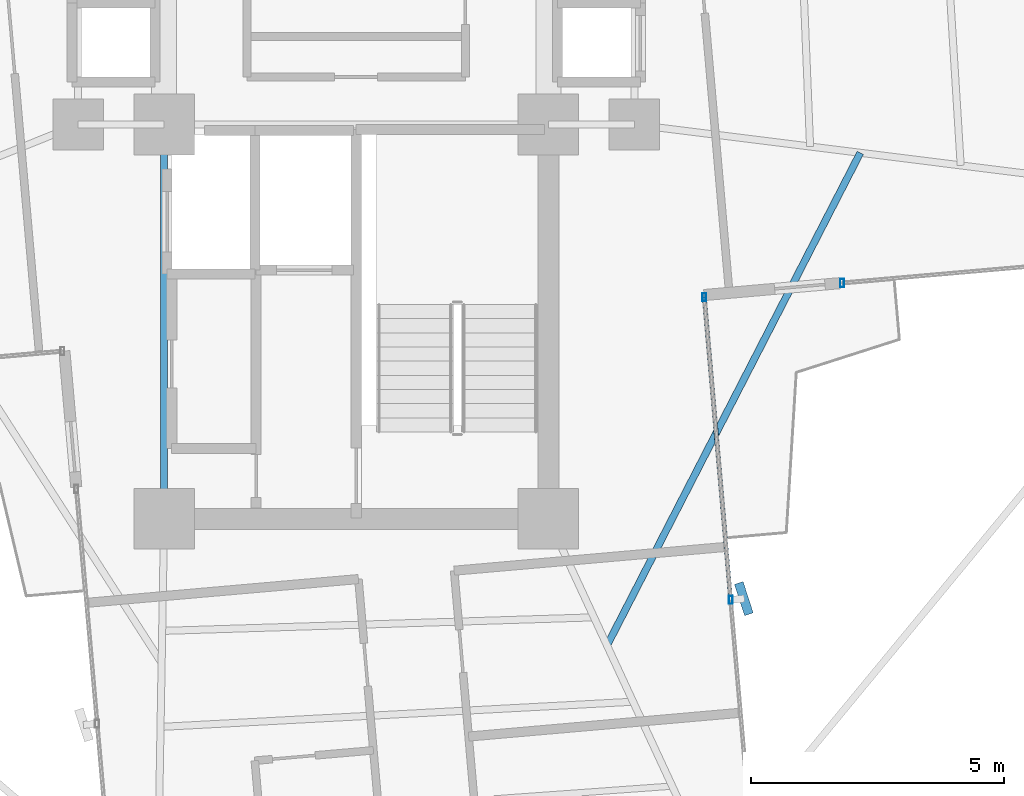
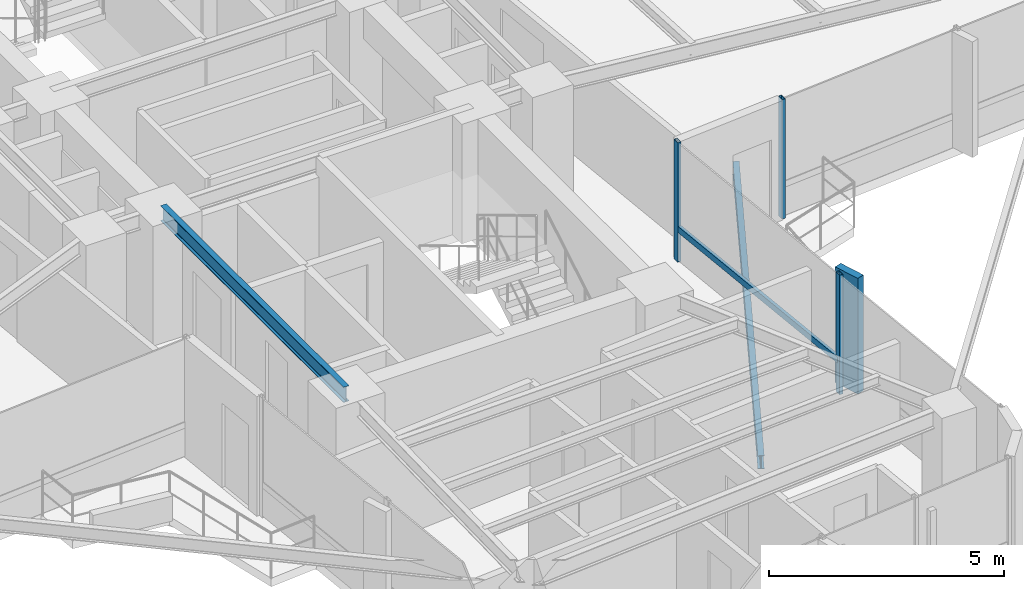
# One storey, part 7 of 24: 5 members, 2 beams, 2 elements without a shape of their own.
"""IFC4 building model written with IfcOpenShell, lengths in metres."""

import ifcopenshell
import ifcopenshell.guid

model = None  # the IFC model being written
_history = None  # IfcOwnerHistory: only IFC2X3 demands one
_inside = {}  # id of a spatial element -> (the spatial element, [elements in it])
_under = {}  # id of a project, library or spatial element -> (it, [spatial elements below it])
_declared = {}  # id of a project -> (the project, [libraries it declares])
_typed = {}  # id of a type object -> (the type object, [elements of that type])
_made_of = {}  # id of a material, layer set ... -> (it, [elements and type objects made of it])


def new_model(schema):
    """Start an empty IFC model of exactly this schema.

    Asked for "IFC4X3", IfcOpenShell would pick the latest addendum, in which some entities
    have other attributes; the version numbers below select the first issue.
    IFC2X3 requires an IfcOwnerHistory on every rooted entity: one is made here for all.
    """
    global model, _history
    if schema == "IFC4X3":
        model = ifcopenshell.file(schema_version=(4, 3, 0, 0))
    else:
        model = ifcopenshell.file(schema=schema)
    _inside.clear()
    _under.clear()
    _declared.clear()
    _typed.clear()
    _made_of.clear()
    _history = None
    if model.schema == "IFC2X3":
        org = make("IfcOrganization", Name="unknown")
        user = make(
            "IfcPersonAndOrganization",
            ThePerson=make("IfcPerson", FamilyName="unknown"),
            TheOrganization=org,
        )
        app = make(
            "IfcApplication",
            ApplicationDeveloper=org,
            Version="unknown",
            ApplicationFullName="unknown",
            ApplicationIdentifier="unknown",
        )
        _history = make(
            "IfcOwnerHistory",
            OwningUser=user,
            OwningApplication=app,
            ChangeAction="ADDED",
            CreationDate=0,
        )
    return model


def make(cls, **values):
    """One entity of the class cls with the attributes given. An attribute that is None is left unset."""
    return model.create_entity(
        cls, **{name: value for name, value in values.items() if value is not None}
    )


def rooted(cls, **values):
    """An entity with a GlobalId (a new one), such as an element, a storey or a relation."""
    return make(cls, GlobalId=ifcopenshell.guid.new(), OwnerHistory=_history, **values)


def si_unit(unit_type, name, prefix=None):
    """IfcSIUnit, for example si_unit("LENGTHUNIT", "METRE", prefix="MILLI")."""
    return make("IfcSIUnit", UnitType=unit_type, Prefix=prefix, Name=name)


def assignment(units):
    """IfcUnitAssignment: the units of a project."""
    return None if units is None else make("IfcUnitAssignment", Units=units)


def point(xyz):
    """IfcCartesianPoint."""
    return None if xyz is None else make("IfcCartesianPoint", Coordinates=xyz)


def direction(xyz):
    """IfcDirection."""
    return None if xyz is None else make("IfcDirection", DirectionRatios=xyz)


def frame(location, z_axis=None, x_axis=None):
    """IfcAxis2Placement3D, a coordinate frame: its origin and axes. An axis left out is left unset."""
    return make(
        "IfcAxis2Placement3D",
        Location=point(location),
        Axis=direction(z_axis),
        RefDirection=direction(x_axis),
    )


def frame_2d(location, x_axis=None):
    """IfcAxis2Placement2D, a coordinate frame in the plane: its origin and x axis."""
    return make(
        "IfcAxis2Placement2D", Location=point(location), RefDirection=direction(x_axis)
    )


def origin():
    """The frame at (0, 0, 0) with its axes left unset."""
    return frame((0.0, 0.0, 0.0))


def origin_2d():
    """The frame at (0, 0) in the plane with its x axis left unset."""
    return frame_2d((0.0, 0.0))


def place(relative_to, where):
    """IfcLocalPlacement: puts the frame where relative to a parent placement (None: the world)."""
    return make(
        "IfcLocalPlacement", PlacementRelTo=relative_to, RelativePlacement=where
    )


def context(
    kind, dimensions, precision=None, world=None, true_north=None, identifier=None
):
    """IfcGeometricRepresentationContext, for example the 3D "Model" context."""
    return make(
        "IfcGeometricRepresentationContext",
        ContextIdentifier=identifier,
        ContextType=kind,
        CoordinateSpaceDimension=dimensions,
        Precision=precision,
        WorldCoordinateSystem=world,
        TrueNorth=true_north,
    )


def subcontext(parent, identifier, kind, view, scale=None):
    """IfcGeometricRepresentationSubContext, for example "Body" below "Model"."""
    return make(
        "IfcGeometricRepresentationSubContext",
        ContextIdentifier=identifier,
        ContextType=kind,
        ParentContext=parent,
        TargetScale=scale,
        TargetView=view,
    )


def project(units=None, contexts=None):
    """IfcProject with its units and contexts."""
    return rooted(
        "IfcProject",
        Name="project",
        RepresentationContexts=contexts,
        UnitsInContext=assignment(units),
    )


def spatial(cls, under=None, at=None, **own):
    """A site, building, storey or space (cls), placed at a placement, below another one or the project."""
    s = rooted(cls, ObjectPlacement=at, **own)
    if under is not None:
        _under.setdefault(under.id(), (under, []))[1].append(s)
    return s


def profile(cls, at=None, kind="AREA", **sizes):
    """A parametric profile (cls). Its sizes go by their IFC names, for example OverallWidth=200.0."""
    return make(cls, ProfileType=kind, Position=at, **sizes)


def rectangle(**sizes):
    """IfcRectangleProfileDef."""
    return profile("IfcRectangleProfileDef", **sizes)


def hollow_rectangle(**sizes):
    """IfcRectangleHollowProfileDef."""
    return profile("IfcRectangleHollowProfileDef", **sizes)


def i_section(**sizes):
    """IfcIShapeProfileDef."""
    return profile("IfcIShapeProfileDef", **sizes)


def extrude(swept, where, along, depth):
    """IfcExtrudedAreaSolid: the profile swept, set in the frame where, extruded along a direction by depth."""
    return make(
        "IfcExtrudedAreaSolid",
        SweptArea=swept,
        Position=where,
        ExtrudedDirection=direction(along),
        Depth=depth,
    )


def shape(context_of_items, identifier, shape_type, items):
    """IfcShapeRepresentation: the items that make up one representation, for example the "Body"."""
    return make(
        "IfcShapeRepresentation",
        ContextOfItems=context_of_items,
        RepresentationIdentifier=identifier,
        RepresentationType=shape_type,
        Items=items,
    )


def source(mapping_origin, context_of_items, identifier, shape_type, items):
    """IfcRepresentationMap: a shape defined once, which mapped items show again and again."""
    return make(
        "IfcRepresentationMap",
        MappingOrigin=mapping_origin,
        MappedRepresentation=shape(context_of_items, identifier, shape_type, items),
    )


def transform(
    local_origin,
    x_axis=None,
    y_axis=None,
    z_axis=None,
    scale=None,
    scale2=None,
    scale3=None,
    uniform=True,
):
    """IfcCartesianTransformationOperator3D, or its non-uniform kind. x_axis, y_axis, z_axis: its Axis1, 2, 3."""
    if uniform:
        return make(
            "IfcCartesianTransformationOperator3D",
            Axis1=direction(x_axis),
            Axis2=direction(y_axis),
            LocalOrigin=point(local_origin),
            Scale=scale,
            Axis3=direction(z_axis),
        )
    return make(
        "IfcCartesianTransformationOperator3DnonUniform",
        Axis1=direction(x_axis),
        Axis2=direction(y_axis),
        LocalOrigin=point(local_origin),
        Scale=scale,
        Axis3=direction(z_axis),
        Scale2=scale2,
        Scale3=scale3,
    )


def mapped(mapping_source, mapping_target):
    """IfcMappedItem: shows the shape of a source again, moved by a transform."""
    return make(
        "IfcMappedItem", MappingSource=mapping_source, MappingTarget=mapping_target
    )


def material(Name=None, Category=None):
    """IfcMaterial."""
    return make("IfcMaterial", Name=Name, Category=Category)


def material_profile(
    of_material, cross_section, Name=None, Category=None, Priority=None
):
    """IfcMaterialProfile: a cross section and its material."""
    return make(
        "IfcMaterialProfile",
        Name=Name,
        Material=of_material,
        Profile=cross_section,
        Priority=Priority,
        Category=Category,
    )


def profile_set(profiles, Name=None, composite=None):
    """IfcMaterialProfileSet."""
    return make(
        "IfcMaterialProfileSet",
        Name=Name,
        MaterialProfiles=profiles,
        CompositeProfile=composite,
    )


def made_of(thing, what):
    """Note that an element or type object is made of a material, layer set ...; save() writes the relation."""
    if what is not None:
        _made_of.setdefault(what.id(), (what, []))[1].append(thing)
    return thing


def type_object(cls, material=None, **own):
    """A type object (cls), such as IfcWallType, which elements share."""
    return made_of(rooted(cls, **own), material)


def element(
    cls,
    number,
    at=None,
    inside=None,
    cuts=None,
    type_object=None,
    material=None,
    context=None,
    identifier="Body",
    shape_type=None,
    held_by="IfcProductDefinitionShape",
    body=None,
    shapes=None,
    **own,
):
    """One element of the class cls, such as IfcWall. Its Tag is "e" and its number.

    at: its placement. inside: the storey or other place that contains it. cuts: it is an
    opening in that element (IfcRelVoidsElement). A single representation is given by context,
    identifier, shape_type and body (its items); several are given by shapes. held_by: the class
    of the entity that holds the representations. save() writes the other relations.
    """
    e = rooted(cls, Tag="e%d" % number, ObjectPlacement=at, **own)
    if body is not None:
        shapes = [shape(context, identifier, shape_type, body)]
    if shapes is not None:
        e.Representation = make(held_by, Representations=shapes)
    if inside is not None:
        _inside.setdefault(inside.id(), (inside, []))[1].append(e)
    if cuts is not None:
        rooted(
            "IfcRelVoidsElement", RelatingBuildingElement=cuts, RelatedOpeningElement=e
        )
    if type_object is not None:
        _typed.setdefault(type_object.id(), (type_object, []))[1].append(e)
    return made_of(e, material)


def aggregate(whole, parts):
    """IfcRelAggregates: a whole, such as a stair, and the parts it consists of."""
    return rooted("IfcRelAggregates", RelatingObject=whole, RelatedObjects=parts)


def save(model, path):
    """Write the relations noted so far, then the file.

    IfcRelAggregates (storeys below a building ...), IfcRelContainedInSpatialStructure (elements
    in a storey), IfcRelDefinesByType, IfcRelAssociatesMaterial and IfcRelDeclares: one each for
    every whole, place, type object, material and project.
    """
    for whole, parts in _under.values():
        aggregate(whole, parts)
    for where, things in _inside.values():
        rooted(
            "IfcRelContainedInSpatialStructure",
            RelatedElements=things,
            RelatingStructure=where,
        )
    for kind, things in _typed.values():
        rooted("IfcRelDefinesByType", RelatedObjects=things, RelatingType=kind)
    for what, things in _made_of.values():
        rooted("IfcRelAssociatesMaterial", RelatedObjects=things, RelatingMaterial=what)
    for by, libraries in _declared.values():
        rooted("IfcRelDeclares", RelatingContext=by, RelatedDefinitions=libraries)
    model.write(path)


model = new_model("IFC4")

# Units and contexts
model_context = context("Model", 3, precision=1e-05, world=origin(), true_north=direction((0.0, 1.0)))
body_context = subcontext(model_context, "Body", "Model", "MODEL_VIEW")
ifc_project = project(units=[si_unit("LENGTHUNIT", "METRE"), si_unit("AREAUNIT", "SQUARE_METRE"), si_unit("VOLUMEUNIT", "CUBIC_METRE"), si_unit("PLANEANGLEUNIT", "RADIAN"), si_unit("MASSUNIT", "GRAM", prefix="KILO")], contexts=[model_context])

# Site, building, storey
site_placement = place(None, origin())
site = spatial("IfcSite", under=ifc_project, at=site_placement, CompositionType="ELEMENT")
building_placement = place(site_placement, origin())
building = spatial("IfcBuilding", under=site, at=building_placement, Name="Sahyath Konkavel Grand Hotel", CompositionType="ELEMENT")
storey_placement = place(building_placement, frame((0.0, 0.0, 185.25)))
storey = spatial("IfcBuildingStorey", under=building, at=storey_placement, Name="L51", CompositionType="ELEMENT", Elevation=185.25)

# Beam
ifc_material_1 = material(Name="Steel E350", Category="steel")
ifc_material_profile_1 = material_profile(ifc_material_1, i_section(OverallWidth=0.139892578125, OverallDepth=0.39990234375, WebThickness=0.0087890625, FlangeThickness=0.01611328125, FilletRadius=0.013916015625, at=origin_2d()), Name="ISMB 400")
ifc_profile_set_1 = profile_set([ifc_material_profile_1], Name="Steel E350")
beam_type_1 = type_object("IfcBeamType", Name="BM-ISMB400", PredefinedType="BEAM", material=ifc_profile_set_1)
shared_shape_1 = source(origin(), body_context, "Body", "SweptSolid", [
    extrude(i_section(OverallWidth=0.139892578125, OverallDepth=0.39990234375, WebThickness=0.0087890625, FlangeThickness=0.01611328125, FilletRadius=0.013916015625, at=origin_2d()), origin(), (0.0, 0.0, 1.0), 7.800048828125),
])
beam_1_placement = place(storey_placement, frame((-3.800048828125, -10.199951171875, 2.909912109375), z_axis=(0.0, 1.0, 0.0), x_axis=(-1.0, 0.0, 0.0)))
element("IfcBeam", 1, at=beam_1_placement, inside=storey, type_object=beam_type_1, Name="str:bm:L51:SC-W", PredefinedType="BEAM", context=body_context, shape_type="MappedRepresentation", body=[
    mapped(shared_shape_1, transform((0.0, 0.0, 0.0), scale=1.0)),
])

# Curtain wall, member
ifc_material_2 = material(Name="Anodised Bronze Aluminium & Low-E Glazing", Category="aluminium")
curtain_wall_type = type_object("IfcCurtainWallType", Name="CW-ZONE3", PredefinedType="NOTDEFINED", material=ifc_material_2)
curtain_wall_1_placement = place(storey_placement, origin())
curtain_wall_1 = element("IfcCurtainWall", 2, at=curtain_wall_1_placement, inside=storey, type_object=curtain_wall_type, Name="L51 Unitised Curtain Wall F31", PredefinedType="NOTDEFINED")
ifc_material_3 = material(Name="Warm Buff Sandstone Cladding on Concrete C50/60", Category="masonry")
ifc_material_profile_2 = material_profile(ifc_material_3, rectangle(XDim=0.179931640625, YDim=0.64990234375, at=origin_2d()), Name="FIN 180x650")
ifc_profile_set_2 = profile_set([ifc_material_profile_2], Name="Warm Buff Sandstone Cladding on Concrete C50/60")
member_type_1 = type_object("IfcMemberType", Name="FIN-SANDSTONE-650", PredefinedType="MULLION", material=ifc_profile_set_2)
shared_shape_2 = source(origin(), body_context, "Body", "SweptSolid", [
    extrude(rectangle(XDim=0.179931640625, YDim=0.64990234375, at=origin_2d()), origin(), (0.0, 0.0, 1.0), 3.010009765625),
])
member_1_placement = place(storey_placement, frame((7.66552734375, -11.776611328125, 0.050048828125), z_axis=(0.0, 0.0, 1.0), x_axis=(0.951272019071, 0.30835295642, 0.0)))
member_1 = element("IfcMember", 3, at=member_1_placement, type_object=member_type_1, Name="L51 Sandstone Vertical Solar Fin FIN F31-1", PredefinedType="MULLION", context=body_context, shape_type="MappedRepresentation", body=[
    mapped(shared_shape_2, transform((0.0, 0.0, 0.0), scale=1.0)),
])

curtain_wall_2_placement = place(storey_placement, origin())
curtain_wall_2 = element("IfcCurtainWall", 4, at=curtain_wall_2_placement, inside=storey, type_object=curtain_wall_type, Name="L51 Unitised Curtain Wall F0", PredefinedType="NOTDEFINED")
ifc_material_4 = material(Name="Anodised Bronze Aluminium", Category="aluminium")
ifc_material_profile_3 = material_profile(ifc_material_4, hollow_rectangle(XDim=0.080078125, YDim=0.159912109375, WallThickness=0.006103515625, at=origin_2d()), Name="RHS 160x80x6")
ifc_profile_set_3 = profile_set([ifc_material_profile_3], Name="Anodised Bronze Aluminium")
member_type_2 = type_object("IfcMemberType", Name="CW-MUL-160", PredefinedType="MULLION", material=ifc_profile_set_3)
shared_shape_3 = source(origin(), body_context, "Body", "SweptSolid", [
    extrude(hollow_rectangle(XDim=0.080078125, YDim=0.159912109375, WallThickness=0.006103515625, at=origin_2d()), origin(), (0.0, 0.0, 1.0), 3.110107421875),
])
member_2_placement = place(storey_placement, frame((9.60888671875, -5.53369140625, 0.0), z_axis=(0.0, 0.0, 1.0), x_axis=(1.0, 0.0, 0.0)))
member_2 = element("IfcMember", 5, at=member_2_placement, type_object=member_type_2, Name="L51 Curtain Wall Mullion F0-0", PredefinedType="MULLION", context=body_context, shape_type="MappedRepresentation", body=[
    mapped(shared_shape_3, transform((0.0, 0.0, 0.0), scale=1.0)),
])
aggregate(curtain_wall_2, [member_2])

# Member
member_3_placement = place(storey_placement, frame((7.406494140625, -11.79931640625, 0.0), z_axis=(0.0, 0.0, 1.0), x_axis=(1.0, 0.0, 0.0)))
member_3 = element("IfcMember", 6, at=member_3_placement, type_object=member_type_2, Name="L51 Curtain Wall Mullion F31-1", PredefinedType="MULLION", context=body_context, shape_type="MappedRepresentation", body=[
    mapped(shared_shape_3, transform((0.0, 0.0, 0.0), scale=1.0)),
])

member_4_placement = place(storey_placement, frame((6.8828125, -5.812255859375, 0.0), z_axis=(0.0, 0.0, 1.0), x_axis=(1.0, 0.0, 0.0)))
member_4 = element("IfcMember", 7, at=member_4_placement, type_object=member_type_2, Name="L51 Curtain Wall Mullion F31-2", PredefinedType="MULLION", context=body_context, shape_type="MappedRepresentation", body=[
    mapped(shared_shape_3, transform((0.0, 0.0, 0.0), scale=1.0)),
])

ifc_material_profile_4 = material_profile(ifc_material_4, hollow_rectangle(XDim=0.080078125, YDim=0.159912109375, WallThickness=0.006103515625, at=origin_2d()), Name="RHS 160x80x6")
ifc_profile_set_4 = profile_set([ifc_material_profile_4], Name="Anodised Bronze Aluminium")
member_type_3 = type_object("IfcMemberType", Name="CW-TRN-160", PredefinedType="USERDEFINED", material=ifc_profile_set_4)
shared_shape_4 = source(origin(), body_context, "Body", "SweptSolid", [
    extrude(hollow_rectangle(XDim=0.080078125, YDim=0.159912109375, WallThickness=0.006103515625, at=origin_2d()), origin(), (0.0, 0.0, 1.0), 6.010009765625),
])
member_5_placement = place(storey_placement, frame((7.406494140625, -11.79931640625, 0.85009765625), z_axis=(-0.087136210597, 0.996196406741, 0.0), x_axis=(-0.996196406741, -0.087136210597, 0.0)))
member_5 = element("IfcMember", 8, at=member_5_placement, type_object=member_type_3, Name="L51 Curtain Wall Transom F31-1-spandrel", ObjectType="TRANSOM", PredefinedType="USERDEFINED", context=body_context, shape_type="MappedRepresentation", body=[
    mapped(shared_shape_4, transform((0.0, 0.0, 0.0), scale=1.0)),
])

aggregate(curtain_wall_1, [member_3, member_1, member_4, member_5])

# Beam
ifc_material_profile_5 = material_profile(ifc_material_1, i_section(OverallWidth=0.139892578125, OverallDepth=0.35009765625, WebThickness=0.008056640625, FlangeThickness=0.01416015625, FilletRadius=0.013916015625, at=origin_2d()), Name="ISMB 350")
ifc_profile_set_5 = profile_set([ifc_material_profile_5], Name="Steel E350")
beam_type_2 = type_object("IfcBeamType", Name="BM-BALC-CANT", PredefinedType="BEAM", material=ifc_profile_set_5)
shared_shape_5 = source(origin(), body_context, "Body", "SweptSolid", [
    extrude(i_section(OverallWidth=0.139892578125, OverallDepth=0.35009765625, WebThickness=0.008056640625, FlangeThickness=0.01416015625, FilletRadius=0.013916015625, at=origin_2d()), origin(), (0.0, 0.0, 1.0), 10.95556640625),
])
beam_2_placement = place(storey_placement, frame((4.959716796875, -12.703125, -0.4150390625), z_axis=(0.457186878355, 0.889370652912, 0.0), x_axis=(-0.889370652912, 0.457186878355, 0.0)))
element("IfcBeam", 9, at=beam_2_placement, inside=storey, type_object=beam_type_2, Name="L51 Balcony Cantilever Support Beam SE", PredefinedType="BEAM", context=body_context, shape_type="MappedRepresentation", body=[
    mapped(shared_shape_5, transform((0.0, 0.0, 0.0), scale=1.0)),
])

save(model, "model.ifc")
